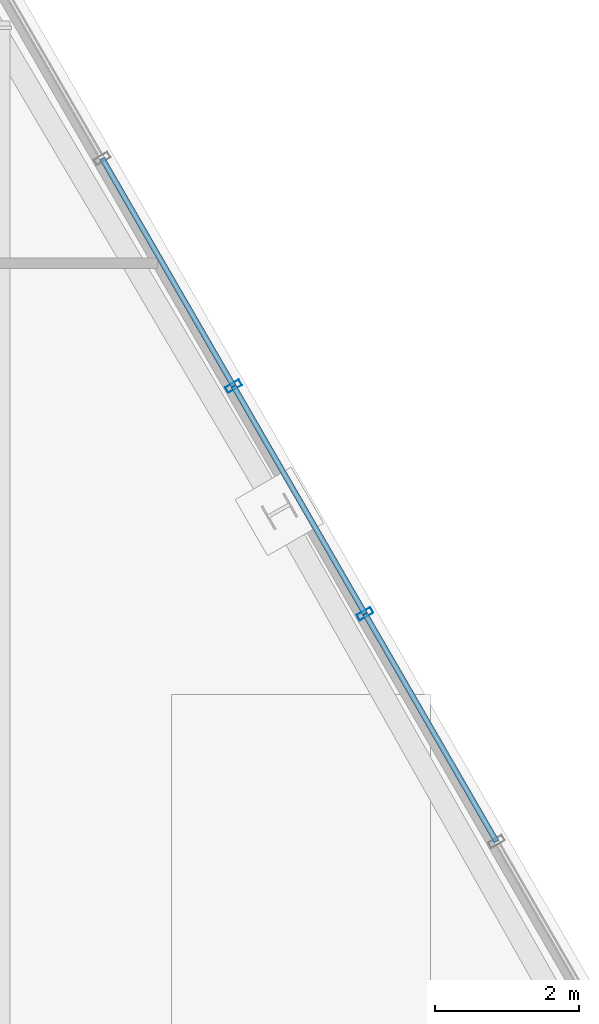
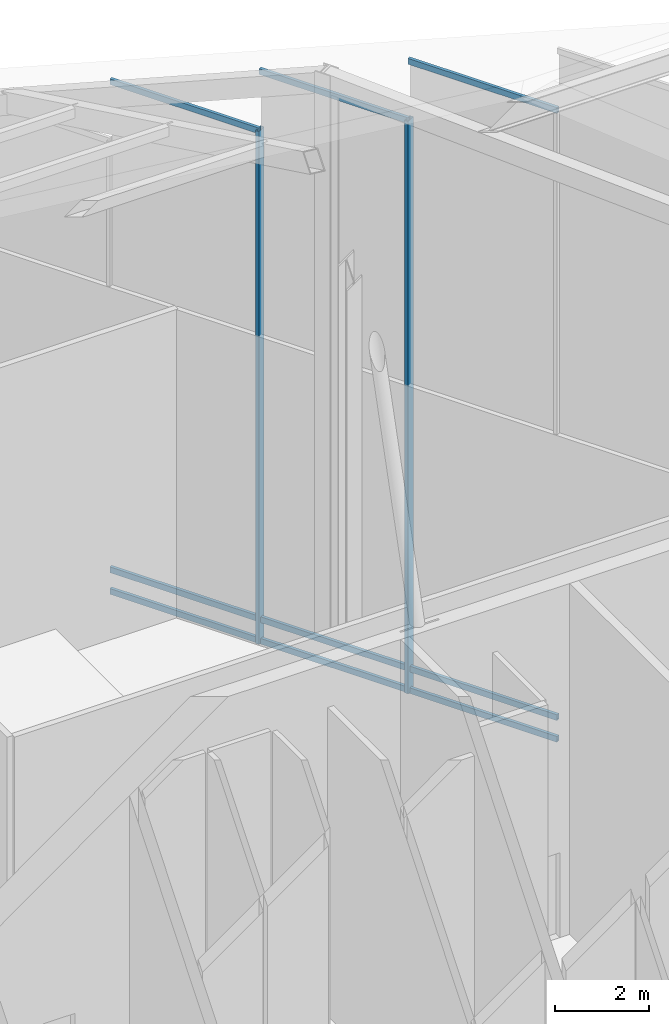
# One storey, part 28 of 36: 11 members, 3 elements without a shape of their own.
"""IFC4 building model written with IfcOpenShell, lengths in metres."""

from ifc_helpers import new_model, si_unit, direction, frame, origin, origin_2d, place, context, subcontext, project, spatial, hollow_rectangle, extrude, material, layer, layer_set, material_profile, profile_set, type_object, element, aggregate, save


model = new_model("IFC4")

# Units and contexts
model_context = context("Model", 3, precision=1e-05, world=origin(), true_north=direction((0.0, 1.0)))
body_context = subcontext(model_context, "Body", "Model", "MODEL_VIEW")
ifc_project = project(units=[si_unit("LENGTHUNIT", "METRE"), si_unit("AREAUNIT", "SQUARE_METRE"), si_unit("VOLUMEUNIT", "CUBIC_METRE"), si_unit("PLANEANGLEUNIT", "RADIAN"), si_unit("MASSUNIT", "GRAM", prefix="KILO")], contexts=[model_context])

# Site, building, storey
site_placement = place(None, origin())
site = spatial("IfcSite", under=ifc_project, at=site_placement, CompositionType="ELEMENT")
building_placement = place(site_placement, origin())
building = spatial("IfcBuilding", under=site, at=building_placement, Name="Ndaravel Arena Tower", CompositionType="ELEMENT")
storey_placement = place(building_placement, frame((0.0, 0.0, 308.10009765625)))
storey = spatial("IfcBuildingStorey", under=building, at=storey_placement, Name="Roof Crown", CompositionType="ELEMENT", Elevation=308.10009765625)

# Curtain wall, member
ifc_material_1 = material(Name="Aluminium", Category="aluminium")
ifc_layer = layer(ifc_material_1, 0.179931640625)
ifc_layer_set = layer_set([ifc_layer], Name="Aluminium")
curtain_wall_type = type_object("IfcCurtainWallType", Name="CW-SYS-06", PredefinedType="NOTDEFINED", material=ifc_layer_set)
curtain_wall_1_placement = place(storey_placement, origin())
curtain_wall_1 = element("IfcCurtainWall", 1, at=curtain_wall_1_placement, inside=storey, type_object=curtain_wall_type, Name="Roof Crown Sloped Crown Lantern Curtain Wall CW-CROWN-E03-S06", PredefinedType="NOTDEFINED")
ifc_material_2 = material(Name="Aluminium", Category="aluminium")
ifc_material_profile_1 = material_profile(ifc_material_2, hollow_rectangle(XDim=0.090087890625, YDim=0.219970703125, WallThickness=0.0048828125, at=origin_2d()), Name="CW MULLION 90x220x5")
ifc_profile_set_1 = profile_set([ifc_material_profile_1], Name="Aluminium")
member_type_1 = type_object("IfcMemberType", Name="MEM-CW-MUL220", PredefinedType="MULLION", material=ifc_profile_set_1)
member_1_placement = place(storey_placement, frame((54.8916015625, 24.32177734375, 0.0), z_axis=(0.0, 0.0, 1.0), x_axis=(-0.5, 0.866025403784, 0.0)))
member_1 = element("IfcMember", 2, at=member_1_placement, type_object=member_type_1, Name="CW-CROWN-E03-S06 Mullion 00", PredefinedType="MULLION", context=body_context, shape_type="SweptSolid", body=[
    extrude(hollow_rectangle(XDim=0.090087890625, YDim=0.219970703125, WallThickness=0.0048828125, at=origin_2d()), origin(), (0.0, 0.0, 1.0), 14.84228515625),
])

curtain_wall_2_placement = place(storey_placement, origin())
curtain_wall_2 = element("IfcCurtainWall", 3, at=curtain_wall_2_placement, inside=storey, type_object=curtain_wall_type, Name="Roof Crown Sloped Crown Lantern Curtain Wall CW-CROWN-E03-S07", PredefinedType="NOTDEFINED")
member_2_placement = place(storey_placement, frame((53.06298828125, 27.489013671875, 0.0), z_axis=(0.0, 0.0, 1.0), x_axis=(-0.500015114919, 0.866016677006, 0.0)))
member_2 = element("IfcMember", 4, at=member_2_placement, type_object=member_type_1, Name="CW-CROWN-E03-S07 Mullion 00", PredefinedType="MULLION", context=body_context, shape_type="SweptSolid", body=[
    extrude(hollow_rectangle(XDim=0.090087890625, YDim=0.219970703125, WallThickness=0.0048828125, at=origin_2d()), origin(), (0.0, 0.0, 1.0), 13.297607421875),
])

# Curtain wall, members
curtain_wall_3_placement = place(storey_placement, origin())
curtain_wall_3 = element("IfcCurtainWall", 5, at=curtain_wall_3_placement, inside=storey, type_object=curtain_wall_type, Name="Roof Crown Sloped Crown Lantern Curtain Wall CW-CROWN-E03-S05", PredefinedType="NOTDEFINED")
ifc_material_3 = material(Name="Aluminium", Category="aluminium")
ifc_material_profile_2 = material_profile(ifc_material_3, hollow_rectangle(XDim=0.074951171875, YDim=0.14990234375, WallThickness=0.00390625, at=origin_2d()), Name="CW TRANSOM 75x150x4")
ifc_profile_set_2 = profile_set([ifc_material_profile_2], Name="Aluminium")
member_type_2 = type_object("IfcMemberType", Name="MEM-CW-TRN150", PredefinedType="USERDEFINED", material=ifc_profile_set_2)
member_3_placement = place(storey_placement, frame((56.72021484375, 21.154296875, 0.039794921875), z_axis=(-0.499972845398, 0.866041080934, 0.0), x_axis=(-0.866041080934, -0.499972845398, 0.0)))
member_3 = element("IfcMember", 6, at=member_3_placement, type_object=member_type_2, Name="CW-CROWN-E03-S05 Transom 01", ObjectType="TRANSOM", PredefinedType="USERDEFINED", context=body_context, shape_type="SweptSolid", body=[
    extrude(hollow_rectangle(XDim=0.074951171875, YDim=0.14990234375, WallThickness=0.00390625, at=origin_2d()), origin(), (0.0, 0.0, 1.0), 3.657470703125),
])
member_4_placement = place(storey_placement, frame((56.72021484375, 21.154296875, 0.599853515625), z_axis=(-0.499972845398, 0.866041080934, 0.0), x_axis=(-0.866041080934, -0.499972845398, 0.0)))
member_4 = element("IfcMember", 7, at=member_4_placement, type_object=member_type_2, Name="CW-CROWN-E03-S05 Transom 02", ObjectType="TRANSOM", PredefinedType="USERDEFINED", context=body_context, shape_type="SweptSolid", body=[
    extrude(hollow_rectangle(XDim=0.074951171875, YDim=0.14990234375, WallThickness=0.00390625, at=origin_2d()), origin(), (0.0, 0.0, 1.0), 3.657470703125),
])
member_5_placement = place(storey_placement, frame((56.72021484375, 21.154296875, 16.34716796875), z_axis=(-0.499972845398, 0.866041080934, 0.0), x_axis=(-0.866041080934, -0.499972845398, 0.0)))
member_5 = element("IfcMember", 8, at=member_5_placement, type_object=member_type_2, Name="CW-CROWN-E03-S05 Transom 03", ObjectType="TRANSOM", PredefinedType="USERDEFINED", context=body_context, shape_type="SweptSolid", body=[
    extrude(hollow_rectangle(XDim=0.074951171875, YDim=0.14990234375, WallThickness=0.00390625, at=origin_2d()), origin(), (0.0, 0.0, 1.0), 3.657470703125),
])
aggregate(curtain_wall_3, [member_3, member_4, member_5])

# Member
member_6_placement = place(storey_placement, frame((54.8916015625, 24.32177734375, 0.039794921875), z_axis=(-0.500001750229, 0.866024393287, 0.0), x_axis=(-0.866024393287, -0.500001750229, 0.0)))
member_6 = element("IfcMember", 9, at=member_6_placement, type_object=member_type_2, Name="CW-CROWN-E03-S06 Transom 01", ObjectType="TRANSOM", PredefinedType="USERDEFINED", context=body_context, shape_type="SweptSolid", body=[
    extrude(hollow_rectangle(XDim=0.074951171875, YDim=0.14990234375, WallThickness=0.00390625, at=origin_2d()), origin(), (0.0, 0.0, 1.0), 3.6572265625),
])

member_7_placement = place(storey_placement, frame((54.8916015625, 24.32177734375, 0.599853515625), z_axis=(-0.500001750229, 0.866024393287, 0.0), x_axis=(-0.866024393287, -0.500001750229, 0.0)))
member_7 = element("IfcMember", 10, at=member_7_placement, type_object=member_type_2, Name="CW-CROWN-E03-S06 Transom 02", ObjectType="TRANSOM", PredefinedType="USERDEFINED", context=body_context, shape_type="SweptSolid", body=[
    extrude(hollow_rectangle(XDim=0.074951171875, YDim=0.14990234375, WallThickness=0.00390625, at=origin_2d()), origin(), (0.0, 0.0, 1.0), 3.6572265625),
])

member_8_placement = place(storey_placement, frame((54.8916015625, 24.32177734375, 14.802490234375), z_axis=(-0.500001750229, 0.866024393287, 0.0), x_axis=(-0.866024393287, -0.500001750229, 0.0)))
member_8 = element("IfcMember", 11, at=member_8_placement, type_object=member_type_2, Name="CW-CROWN-E03-S06 Transom 03", ObjectType="TRANSOM", PredefinedType="USERDEFINED", context=body_context, shape_type="SweptSolid", body=[
    extrude(hollow_rectangle(XDim=0.074951171875, YDim=0.14990234375, WallThickness=0.00390625, at=origin_2d()), origin(), (0.0, 0.0, 1.0), 3.6572265625),
])

aggregate(curtain_wall_1, [member_1, member_6, member_7, member_8])

member_9_placement = place(storey_placement, frame((53.06298828125, 27.489013671875, 0.039794921875), z_axis=(-0.500001750229, 0.866024393287, 0.0), x_axis=(-0.866024393287, -0.500001750229, 0.0)))
member_9 = element("IfcMember", 12, at=member_9_placement, type_object=member_type_2, Name="CW-CROWN-E03-S07 Transom 01", ObjectType="TRANSOM", PredefinedType="USERDEFINED", context=body_context, shape_type="SweptSolid", body=[
    extrude(hollow_rectangle(XDim=0.074951171875, YDim=0.14990234375, WallThickness=0.00390625, at=origin_2d()), origin(), (0.0, 0.0, 1.0), 3.6572265625),
])

member_10_placement = place(storey_placement, frame((53.06298828125, 27.489013671875, 0.599853515625), z_axis=(-0.500001750229, 0.866024393287, 0.0), x_axis=(-0.866024393287, -0.500001750229, 0.0)))
member_10 = element("IfcMember", 13, at=member_10_placement, type_object=member_type_2, Name="CW-CROWN-E03-S07 Transom 02", ObjectType="TRANSOM", PredefinedType="USERDEFINED", context=body_context, shape_type="SweptSolid", body=[
    extrude(hollow_rectangle(XDim=0.074951171875, YDim=0.14990234375, WallThickness=0.00390625, at=origin_2d()), origin(), (0.0, 0.0, 1.0), 3.6572265625),
])

member_11_placement = place(storey_placement, frame((53.06298828125, 27.489013671875, 13.257568359375), z_axis=(-0.500001750229, 0.866024393287, 0.0), x_axis=(-0.866024393287, -0.500001750229, 0.0)))
member_11 = element("IfcMember", 14, at=member_11_placement, type_object=member_type_2, Name="CW-CROWN-E03-S07 Transom 03", ObjectType="TRANSOM", PredefinedType="USERDEFINED", context=body_context, shape_type="SweptSolid", body=[
    extrude(hollow_rectangle(XDim=0.074951171875, YDim=0.14990234375, WallThickness=0.00390625, at=origin_2d()), origin(), (0.0, 0.0, 1.0), 3.6572265625),
])

aggregate(curtain_wall_2, [member_2, member_9, member_10, member_11])

save(model, "model.ifc")
